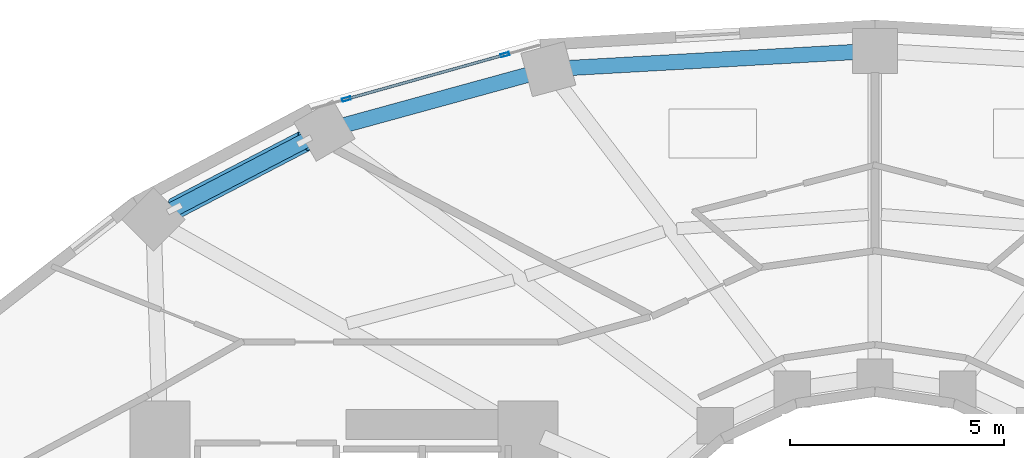
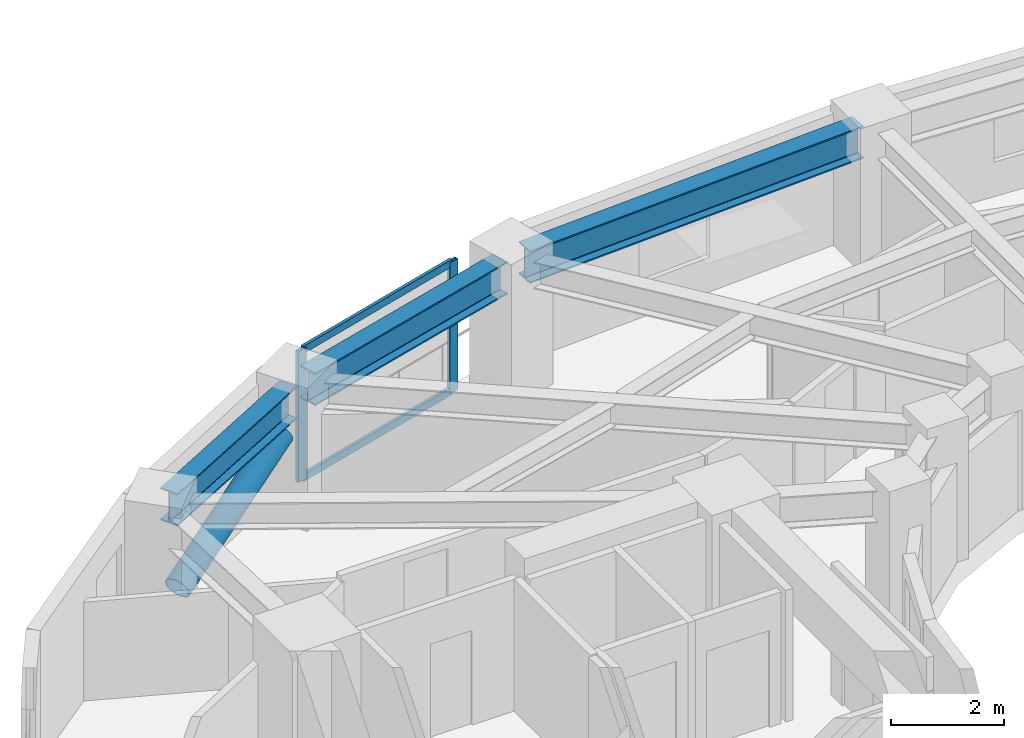
# One storey, part 8 of 18: 5 members, 3 beams, 1 element without a shape of its own.
"""IFC4 building model written with IfcOpenShell, lengths in metres."""

import ifcopenshell
import ifcopenshell.guid

model = None  # the IFC model being written
_history = None  # IfcOwnerHistory: only IFC2X3 demands one
_inside = {}  # id of a spatial element -> (the spatial element, [elements in it])
_under = {}  # id of a project, library or spatial element -> (it, [spatial elements below it])
_declared = {}  # id of a project -> (the project, [libraries it declares])
_typed = {}  # id of a type object -> (the type object, [elements of that type])
_made_of = {}  # id of a material, layer set ... -> (it, [elements and type objects made of it])


def new_model(schema):
    """Start an empty IFC model of exactly this schema.

    Asked for "IFC4X3", IfcOpenShell would pick the latest addendum, in which some entities
    have other attributes; the version numbers below select the first issue.
    IFC2X3 requires an IfcOwnerHistory on every rooted entity: one is made here for all.
    """
    global model, _history
    if schema == "IFC4X3":
        model = ifcopenshell.file(schema_version=(4, 3, 0, 0))
    else:
        model = ifcopenshell.file(schema=schema)
    _inside.clear()
    _under.clear()
    _declared.clear()
    _typed.clear()
    _made_of.clear()
    _history = None
    if model.schema == "IFC2X3":
        org = make("IfcOrganization", Name="unknown")
        user = make(
            "IfcPersonAndOrganization",
            ThePerson=make("IfcPerson", FamilyName="unknown"),
            TheOrganization=org,
        )
        app = make(
            "IfcApplication",
            ApplicationDeveloper=org,
            Version="unknown",
            ApplicationFullName="unknown",
            ApplicationIdentifier="unknown",
        )
        _history = make(
            "IfcOwnerHistory",
            OwningUser=user,
            OwningApplication=app,
            ChangeAction="ADDED",
            CreationDate=0,
        )
    return model


def make(cls, **values):
    """One entity of the class cls with the attributes given. An attribute that is None is left unset."""
    return model.create_entity(
        cls, **{name: value for name, value in values.items() if value is not None}
    )


def rooted(cls, **values):
    """An entity with a GlobalId (a new one), such as an element, a storey or a relation."""
    return make(cls, GlobalId=ifcopenshell.guid.new(), OwnerHistory=_history, **values)


def si_unit(unit_type, name, prefix=None):
    """IfcSIUnit, for example si_unit("LENGTHUNIT", "METRE", prefix="MILLI")."""
    return make("IfcSIUnit", UnitType=unit_type, Prefix=prefix, Name=name)


def assignment(units):
    """IfcUnitAssignment: the units of a project."""
    return None if units is None else make("IfcUnitAssignment", Units=units)


def point(xyz):
    """IfcCartesianPoint."""
    return None if xyz is None else make("IfcCartesianPoint", Coordinates=xyz)


def direction(xyz):
    """IfcDirection."""
    return None if xyz is None else make("IfcDirection", DirectionRatios=xyz)


def frame(location, z_axis=None, x_axis=None):
    """IfcAxis2Placement3D, a coordinate frame: its origin and axes. An axis left out is left unset."""
    return make(
        "IfcAxis2Placement3D",
        Location=point(location),
        Axis=direction(z_axis),
        RefDirection=direction(x_axis),
    )


def frame_2d(location, x_axis=None):
    """IfcAxis2Placement2D, a coordinate frame in the plane: its origin and x axis."""
    return make(
        "IfcAxis2Placement2D", Location=point(location), RefDirection=direction(x_axis)
    )


def origin():
    """The frame at (0, 0, 0) with its axes left unset."""
    return frame((0.0, 0.0, 0.0))


def origin_2d():
    """The frame at (0, 0) in the plane with its x axis left unset."""
    return frame_2d((0.0, 0.0))


def place(relative_to, where):
    """IfcLocalPlacement: puts the frame where relative to a parent placement (None: the world)."""
    return make(
        "IfcLocalPlacement", PlacementRelTo=relative_to, RelativePlacement=where
    )


def context(
    kind, dimensions, precision=None, world=None, true_north=None, identifier=None
):
    """IfcGeometricRepresentationContext, for example the 3D "Model" context."""
    return make(
        "IfcGeometricRepresentationContext",
        ContextIdentifier=identifier,
        ContextType=kind,
        CoordinateSpaceDimension=dimensions,
        Precision=precision,
        WorldCoordinateSystem=world,
        TrueNorth=true_north,
    )


def subcontext(parent, identifier, kind, view, scale=None):
    """IfcGeometricRepresentationSubContext, for example "Body" below "Model"."""
    return make(
        "IfcGeometricRepresentationSubContext",
        ContextIdentifier=identifier,
        ContextType=kind,
        ParentContext=parent,
        TargetScale=scale,
        TargetView=view,
    )


def project(units=None, contexts=None):
    """IfcProject with its units and contexts."""
    return rooted(
        "IfcProject",
        Name="project",
        RepresentationContexts=contexts,
        UnitsInContext=assignment(units),
    )


def spatial(cls, under=None, at=None, **own):
    """A site, building, storey or space (cls), placed at a placement, below another one or the project."""
    s = rooted(cls, ObjectPlacement=at, **own)
    if under is not None:
        _under.setdefault(under.id(), (under, []))[1].append(s)
    return s


def profile(cls, at=None, kind="AREA", **sizes):
    """A parametric profile (cls). Its sizes go by their IFC names, for example OverallWidth=200.0."""
    return make(cls, ProfileType=kind, Position=at, **sizes)


def hollow_rectangle(**sizes):
    """IfcRectangleHollowProfileDef."""
    return profile("IfcRectangleHollowProfileDef", **sizes)


def hollow_circle(**sizes):
    """IfcCircleHollowProfileDef."""
    return profile("IfcCircleHollowProfileDef", **sizes)


def i_section(**sizes):
    """IfcIShapeProfileDef."""
    return profile("IfcIShapeProfileDef", **sizes)


def extrude(swept, where, along, depth):
    """IfcExtrudedAreaSolid: the profile swept, set in the frame where, extruded along a direction by depth."""
    return make(
        "IfcExtrudedAreaSolid",
        SweptArea=swept,
        Position=where,
        ExtrudedDirection=direction(along),
        Depth=depth,
    )


def shape(context_of_items, identifier, shape_type, items):
    """IfcShapeRepresentation: the items that make up one representation, for example the "Body"."""
    return make(
        "IfcShapeRepresentation",
        ContextOfItems=context_of_items,
        RepresentationIdentifier=identifier,
        RepresentationType=shape_type,
        Items=items,
    )


def material(Name=None, Category=None):
    """IfcMaterial."""
    return make("IfcMaterial", Name=Name, Category=Category)


def layer(
    of_material, thickness, ventilated=None, Name=None, Category=None, Priority=None
):
    """IfcMaterialLayer: one layer of a wall or slab, of a material (None: an air gap)."""
    return make(
        "IfcMaterialLayer",
        Material=of_material,
        LayerThickness=thickness,
        IsVentilated=ventilated,
        Name=Name,
        Category=Category,
        Priority=Priority,
    )


def layer_set(layers, Name=None):
    """IfcMaterialLayerSet."""
    return make("IfcMaterialLayerSet", MaterialLayers=layers, LayerSetName=Name)


def material_profile(
    of_material, cross_section, Name=None, Category=None, Priority=None
):
    """IfcMaterialProfile: a cross section and its material."""
    return make(
        "IfcMaterialProfile",
        Name=Name,
        Material=of_material,
        Profile=cross_section,
        Priority=Priority,
        Category=Category,
    )


def profile_set(profiles, Name=None, composite=None):
    """IfcMaterialProfileSet."""
    return make(
        "IfcMaterialProfileSet",
        Name=Name,
        MaterialProfiles=profiles,
        CompositeProfile=composite,
    )


def made_of(thing, what):
    """Note that an element or type object is made of a material, layer set ...; save() writes the relation."""
    if what is not None:
        _made_of.setdefault(what.id(), (what, []))[1].append(thing)
    return thing


def type_object(cls, material=None, **own):
    """A type object (cls), such as IfcWallType, which elements share."""
    return made_of(rooted(cls, **own), material)


def element(
    cls,
    number,
    at=None,
    inside=None,
    cuts=None,
    type_object=None,
    material=None,
    context=None,
    identifier="Body",
    shape_type=None,
    held_by="IfcProductDefinitionShape",
    body=None,
    shapes=None,
    **own,
):
    """One element of the class cls, such as IfcWall. Its Tag is "e" and its number.

    at: its placement. inside: the storey or other place that contains it. cuts: it is an
    opening in that element (IfcRelVoidsElement). A single representation is given by context,
    identifier, shape_type and body (its items); several are given by shapes. held_by: the class
    of the entity that holds the representations. save() writes the other relations.
    """
    e = rooted(cls, Tag="e%d" % number, ObjectPlacement=at, **own)
    if body is not None:
        shapes = [shape(context, identifier, shape_type, body)]
    if shapes is not None:
        e.Representation = make(held_by, Representations=shapes)
    if inside is not None:
        _inside.setdefault(inside.id(), (inside, []))[1].append(e)
    if cuts is not None:
        rooted(
            "IfcRelVoidsElement", RelatingBuildingElement=cuts, RelatedOpeningElement=e
        )
    if type_object is not None:
        _typed.setdefault(type_object.id(), (type_object, []))[1].append(e)
    return made_of(e, material)


def aggregate(whole, parts):
    """IfcRelAggregates: a whole, such as a stair, and the parts it consists of."""
    return rooted("IfcRelAggregates", RelatingObject=whole, RelatedObjects=parts)


def save(model, path):
    """Write the relations noted so far, then the file.

    IfcRelAggregates (storeys below a building ...), IfcRelContainedInSpatialStructure (elements
    in a storey), IfcRelDefinesByType, IfcRelAssociatesMaterial and IfcRelDeclares: one each for
    every whole, place, type object, material and project.
    """
    for whole, parts in _under.values():
        aggregate(whole, parts)
    for where, things in _inside.values():
        rooted(
            "IfcRelContainedInSpatialStructure",
            RelatedElements=things,
            RelatingStructure=where,
        )
    for kind, things in _typed.values():
        rooted("IfcRelDefinesByType", RelatedObjects=things, RelatingType=kind)
    for what, things in _made_of.values():
        rooted("IfcRelAssociatesMaterial", RelatedObjects=things, RelatingMaterial=what)
    for by, libraries in _declared.values():
        rooted("IfcRelDeclares", RelatingContext=by, RelatedDefinitions=libraries)
    model.write(path)


model = new_model("IFC4")

# Units and contexts
model_context = context("Model", 3, precision=1e-05, world=origin(), true_north=direction((0.0, 1.0)))
body_context = subcontext(model_context, "Body", "Model", "MODEL_VIEW")
ifc_project = project(units=[si_unit("LENGTHUNIT", "METRE"), si_unit("AREAUNIT", "SQUARE_METRE"), si_unit("VOLUMEUNIT", "CUBIC_METRE"), si_unit("PLANEANGLEUNIT", "RADIAN"), si_unit("MASSUNIT", "GRAM", prefix="KILO")], contexts=[model_context])

# Site, building, storey
site_placement = place(None, origin())
site = spatial("IfcSite", under=ifc_project, at=site_placement, CompositionType="ELEMENT")
building_placement = place(site_placement, origin())
building = spatial("IfcBuilding", under=site, at=building_placement, Name="Solvane Sanctuary Tower", CompositionType="ELEMENT")
storey_placement = place(building_placement, frame((0.0, 0.0, 94.89990234375)))
storey = spatial("IfcBuildingStorey", under=building, at=storey_placement, Name="L28", CompositionType="ELEMENT", Elevation=94.89990234375)

# Beams
ifc_material_1 = material(Name="Steel ASTM A992 Grade 50", Category="steel")
ifc_material_profile_1 = material_profile(ifc_material_1, i_section(OverallWidth=0.35791015625, OverallDepth=0.7060546875, WebThickness=0.018310546875, FlangeThickness=0.0302734375, FilletRadius=0.01806640625, at=origin_2d()), Name="W27X178")
ifc_profile_set_1 = profile_set([ifc_material_profile_1], Name="Steel ASTM A992 Grade 50")
beam_type = type_object("IfcBeamType", Name="Beam B-SPAND-Z2 W27X178", PredefinedType="SPANDREL", material=ifc_profile_set_1)
beam_1_placement = place(storey_placement, frame((15.3955078125, 35.267333984375, 2.525146484375), z_axis=(0.887014995188, 0.461740618002, 0.0), x_axis=(-0.461740618002, 0.887014995188, 0.0)))
element("IfcBeam", 1, at=beam_1_placement, inside=storey, type_object=beam_type, Name="L28 Perimeter Spandrel Beam TC07-TC06", PredefinedType="SPANDREL", context=body_context, shape_type="SweptSolid", body=[
    extrude(i_section(OverallWidth=0.35791015625, OverallDepth=0.7060546875, WebThickness=0.018310546875, FlangeThickness=0.0302734375, FilletRadius=0.01806640625, at=origin_2d()), origin(), (0.0, 0.0, 1.0), 3.943359375),
])
beam_2_placement = place(storey_placement, frame((19.41162109375, 37.29150390625, 2.525146484375), z_axis=(0.964367605241, 0.26456591232, 0.0), x_axis=(-0.26456591232, 0.964367605241, 0.0)))
element("IfcBeam", 2, at=beam_2_placement, inside=storey, type_object=beam_type, Name="L28 Perimeter Spandrel Beam TC06-TC05", PredefinedType="SPANDREL", context=body_context, shape_type="SweptSolid", body=[
    extrude(i_section(OverallWidth=0.35791015625, OverallDepth=0.7060546875, WebThickness=0.018310546875, FlangeThickness=0.0302734375, FilletRadius=0.01806640625, at=origin_2d()), origin(), (0.0, 0.0, 1.0), 4.8623046875),
])
beam_3_placement = place(storey_placement, frame((24.650146484375, 38.667724609375, 2.525146484375), z_axis=(0.998431364179, 0.055989383129, 0.0), x_axis=(-0.055989383129, 0.998431364179, 0.0)))
element("IfcBeam", 3, at=beam_3_placement, inside=storey, type_object=beam_type, Name="L28 Perimeter Spandrel Beam TC05-TC04", PredefinedType="SPANDREL", context=body_context, shape_type="SweptSolid", body=[
    extrude(i_section(OverallWidth=0.35791015625, OverallDepth=0.7060546875, WebThickness=0.018310546875, FlangeThickness=0.0302734375, FilletRadius=0.01806640625, at=origin_2d()), origin(), (0.0, 0.0, 1.0), 7.081298828125),
])

# Curtain wall, members
ifc_material_2 = material(Name="Anodised Aluminium 6063-T6", Category="aluminium")
ifc_layer = layer(ifc_material_2, 0.179931640625, Name="Anodised Aluminium 6063-T6")
ifc_layer_set = layer_set([ifc_layer], Name="Anodised Aluminium 6063-T6")
curtain_wall_type = type_object("IfcCurtainWallType", Name="Curtain Wall CW-FRIT-Z2", PredefinedType="NOTDEFINED", material=ifc_layer_set)
curtain_wall_placement = place(storey_placement, origin())
curtain_wall = element("IfcCurtainWall", 4, at=curtain_wall_placement, inside=storey, type_object=curtain_wall_type, Name="L28 CW-FRIT-Z2 Facade Run 07", PredefinedType="NOTDEFINED")
ifc_material_profile_2 = material_profile(ifc_material_2, hollow_rectangle(XDim=0.074951171875, YDim=0.199951171875, WallThickness=0.00390625, at=origin_2d()), Name="ALU200X75X4")
ifc_profile_set_2 = profile_set([ifc_material_profile_2], Name="Anodised Aluminium 6063-T6")
member_type_1 = type_object("IfcMemberType", Name="Member M-CW-MUL-1 ALU200X75X4", PredefinedType="MULLION", material=ifc_profile_set_2)
member_1_placement = place(storey_placement, frame((23.35791015625, 38.990478515625, 0.0), z_axis=(0.0, 0.0, 1.0), x_axis=(0.269704615814, -0.962943103308, 0.0)))
member_1 = element("IfcMember", 5, at=member_1_placement, type_object=member_type_1, Name="CW-FRIT-Z2 mullion 1", PredefinedType="MULLION", context=body_context, shape_type="SweptSolid", body=[
    extrude(hollow_rectangle(XDim=0.074951171875, YDim=0.199951171875, WallThickness=0.00390625, at=origin_2d()), origin(), (0.0, 0.0, 1.0), 2.840087890625),
])
member_2_placement = place(storey_placement, frame((19.65234375, 37.952392578125, 0.0), z_axis=(0.0, 0.0, 1.0), x_axis=(0.269704615814, -0.962943103308, 0.0)))
member_2 = element("IfcMember", 6, at=member_2_placement, type_object=member_type_1, Name="CW-FRIT-Z2 mullion 2", PredefinedType="MULLION", context=body_context, shape_type="SweptSolid", body=[
    extrude(hollow_rectangle(XDim=0.074951171875, YDim=0.199951171875, WallThickness=0.00390625, at=origin_2d()), origin(), (0.0, 0.0, 1.0), 2.840087890625),
])
ifc_material_profile_3 = material_profile(ifc_material_2, hollow_rectangle(XDim=0.06494140625, YDim=0.159912109375, WallThickness=0.00341796875, at=origin_2d()), Name="ALU160X65X3.5")
ifc_profile_set_3 = profile_set([ifc_material_profile_3], Name="Anodised Aluminium 6063-T6")
member_type_2 = type_object("IfcMemberType", Name="Member M-CW-TRN-1 ALU160X65X3.5", PredefinedType="USERDEFINED", material=ifc_profile_set_3)
member_3_placement = place(storey_placement, frame((23.32177734375, 38.980224609375, 0.03271484375), z_axis=(-0.9629465453, -0.269692326355, 0.0), x_axis=(0.269692326355, -0.9629465453, 0.0)))
member_3 = element("IfcMember", 7, at=member_3_placement, type_object=member_type_2, Name="CW-FRIT-Z2 transom 1.1", ObjectType="TRANSOM", PredefinedType="USERDEFINED", context=body_context, shape_type="SweptSolid", body=[
    extrude(hollow_rectangle(XDim=0.06494140625, YDim=0.159912109375, WallThickness=0.00341796875, at=origin_2d()), origin(), (0.0, 0.0, 1.0), 3.773193359375),
])
member_4_placement = place(storey_placement, frame((23.32177734375, 38.980224609375, 2.8076171875), z_axis=(-0.9629465453, -0.269692326355, 0.0), x_axis=(0.269692326355, -0.9629465453, 0.0)))
member_4 = element("IfcMember", 8, at=member_4_placement, type_object=member_type_2, Name="CW-FRIT-Z2 transom 1.2", ObjectType="TRANSOM", PredefinedType="USERDEFINED", context=body_context, shape_type="SweptSolid", body=[
    extrude(hollow_rectangle(XDim=0.06494140625, YDim=0.159912109375, WallThickness=0.00341796875, at=origin_2d()), origin(), (0.0, 0.0, 1.0), 3.773193359375),
])
aggregate(curtain_wall, [member_1, member_2, member_3, member_4])

# Member
ifc_material_profile_4 = material_profile(ifc_material_1, hollow_circle(Radius=0.25390625, WallThickness=0.01611328125, at=origin_2d()), Name="CHS508X16")
ifc_profile_set_4 = profile_set([ifc_material_profile_4], Name="Steel ASTM A992 Grade 50")
member_type_3 = type_object("IfcMemberType", Name="Member M-TUBE-Z2 CHS508X16", PredefinedType="BRACE", material=ifc_profile_set_4)
member_5_placement = place(storey_placement, frame((15.6435546875, 35.396484375, 0.602783203125), z_axis=(0.824140553465, 0.429072126665, 0.369715374651), x_axis=(-0.461792399626, 0.886988038052, 0.0)))
element("IfcMember", 9, at=member_5_placement, inside=storey, type_object=member_type_3, Name="L28 Perimeter Braced-Tube Diagonal NW", PredefinedType="BRACE", context=body_context, shape_type="SweptSolid", body=[
    extrude(hollow_circle(Radius=0.25390625, WallThickness=0.01611328125, at=origin_2d()), origin(), (0.0, 0.0, 1.0), 3.6689453125),
])

save(model, "model.ifc")
